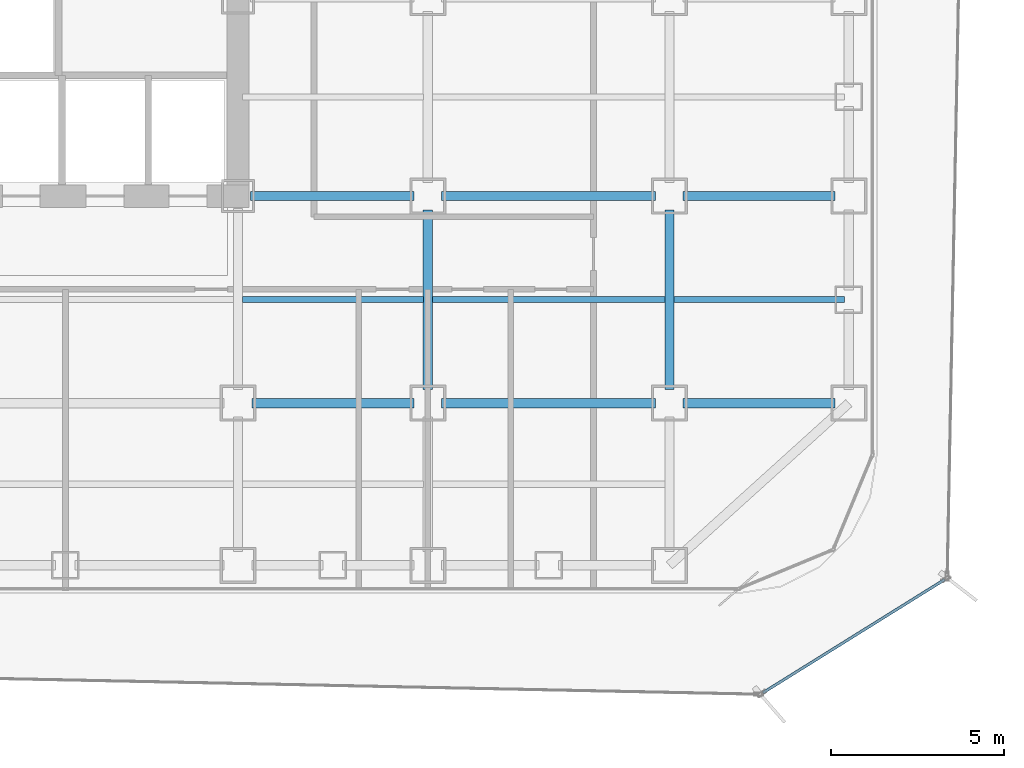
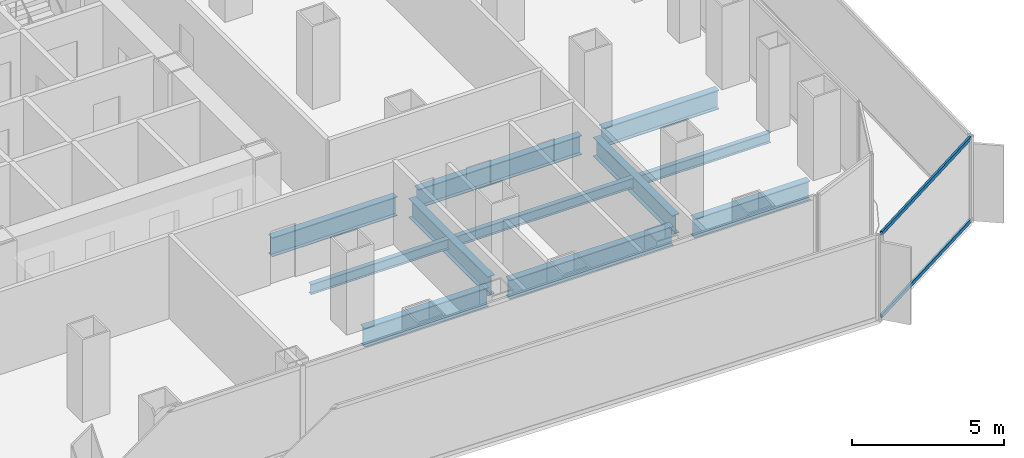
# One storey, part 7 of 21: 11 beams, 2 members, 1 element without a shape of its own.
"""IFC4 building model written with IfcOpenShell, lengths in metres."""

from ifc_helpers import new_model, si_unit, direction, frame, origin, origin_2d, place, context, subcontext, project, spatial, hollow_rectangle, i_section, extrude, source, transform, mapped, material, layer, layer_set, material_profile, profile_set, type_object, element, aggregate, save


model = new_model("IFC4")

# Units and contexts
model_context = context("Model", 3, precision=1e-05, world=origin(), true_north=direction((0.0, 1.0)))
body_context = subcontext(model_context, "Body", "Model", "MODEL_VIEW")
ifc_project = project(units=[si_unit("LENGTHUNIT", "METRE"), si_unit("AREAUNIT", "SQUARE_METRE"), si_unit("VOLUMEUNIT", "CUBIC_METRE"), si_unit("PLANEANGLEUNIT", "RADIAN"), si_unit("MASSUNIT", "GRAM", prefix="KILO")], contexts=[model_context])

# Site, building, storey
site_placement = place(None, origin())
site = spatial("IfcSite", under=ifc_project, at=site_placement, CompositionType="ELEMENT")
building_placement = place(site_placement, origin())
building = spatial("IfcBuilding", under=site, at=building_placement, Name="Kolveth Station Tower", CompositionType="ELEMENT")
storey_placement = place(building_placement, frame((0.0, 0.0, 26.10009765625)))
storey = spatial("IfcBuildingStorey", under=building, at=storey_placement, Name="L06", CompositionType="ELEMENT", Elevation=26.10009765625)

# Beams
ifc_material_1 = material(Name="Steel S355", Category="steel")
ifc_material_profile_1 = material_profile(ifc_material_1, i_section(OverallWidth=0.26708984375, OverallDepth=0.76611328125, WebThickness=0.014892578125, FlangeThickness=0.023681640625, at=origin_2d()), Name="W760x185")
ifc_profile_set_1 = profile_set([ifc_material_profile_1], Name="Steel S355")
beam_type_1 = type_object("IfcBeamType", Name="Beam_B3", PredefinedType="BEAM", material=ifc_profile_set_1)
shared_shape_1 = source(origin(), body_context, "Body", "SweptSolid", [
    extrude(i_section(OverallWidth=0.26708984375, OverallDepth=0.76611328125, WebThickness=0.014892578125, FlangeThickness=0.023681640625, at=origin_2d()), origin(), (0.0, 0.0, 1.0), 4.400146484375),
])
for number, where, z_axis, x_axis, name in (
    (1, (41.39990234375, 5.5, -0.6630859375), (1.0, 0.0, 0.0), (0.0, 1.0, 0.0), "L06 Primary Girder BM-L06-GY55-7"),
    (2, (41.39990234375, 11.5, -0.6630859375), (1.0, 0.0, 0.0), (0.0, 1.0, 0.0), "L06 Primary Girder BM-L06-GY115-7"),
):
    element("IfcBeam", number, at=place(storey_placement, frame(where, z_axis=z_axis, x_axis=x_axis)), inside=storey, type_object=beam_type_1, Name=name, PredefinedType="BEAM", context=body_context, shape_type="MappedRepresentation", body=[
        mapped(shared_shape_1, transform((0.0, 0.0, 0.0), x_axis=(1.0, 0.0, 0.0), y_axis=(0.0, 1.0, 0.0), z_axis=(0.0, 0.0, 1.0), scale=1.0)),
    ])
shared_shape_2 = source(origin(), body_context, "Body", "SweptSolid", [
    extrude(i_section(OverallWidth=0.26708984375, OverallDepth=0.76611328125, WebThickness=0.014892578125, FlangeThickness=0.023681640625, at=origin_2d()), origin(), (0.0, 0.0, 1.0), 6.2001953125),
])
for number, where, z_axis, x_axis, name in (
    (3, (34.39990234375, 5.5, -0.6630859375), (1.0, 0.0, 0.0), (0.0, 1.0, 0.0), "L06 Primary Girder BM-L06-GY55-6"),
    (4, (34.39990234375, 11.5, -0.6630859375), (1.0, 0.0, 0.0), (0.0, 1.0, 0.0), "L06 Primary Girder BM-L06-GY115-6"),
):
    element("IfcBeam", number, at=place(storey_placement, frame(where, z_axis=z_axis, x_axis=x_axis)), inside=storey, type_object=beam_type_1, Name=name, PredefinedType="BEAM", context=body_context, shape_type="MappedRepresentation", body=[
        mapped(shared_shape_2, transform((0.0, 0.0, 0.0), x_axis=(1.0, 0.0, 0.0), y_axis=(0.0, 1.0, 0.0), z_axis=(0.0, 0.0, 1.0), scale=1.0)),
    ])
shared_shape_3 = source(origin(), body_context, "Body", "SweptSolid", [
    extrude(i_section(OverallWidth=0.26708984375, OverallDepth=0.76611328125, WebThickness=0.014892578125, FlangeThickness=0.023681640625, at=origin_2d()), origin(), (0.0, 0.0, 1.0), 4.7001953125),
])
beam_1_placement = place(storey_placement, frame((28.89990234375, 5.5, -0.6630859375), z_axis=(1.0, 0.0, 0.0), x_axis=(0.0, 1.0, 0.0)))
element("IfcBeam", 5, at=beam_1_placement, inside=storey, type_object=beam_type_1, Name="L06 Primary Girder BM-L06-GY55-5", PredefinedType="BEAM", context=body_context, shape_type="MappedRepresentation", body=[
    mapped(shared_shape_3, transform((0.0, 0.0, 0.0), x_axis=(1.0, 0.0, 0.0), y_axis=(0.0, 1.0, 0.0), z_axis=(0.0, 0.0, 1.0), scale=1.0)),
])
shared_shape_4 = source(origin(), body_context, "Body", "SweptSolid", [
    extrude(i_section(OverallWidth=0.26708984375, OverallDepth=0.76611328125, WebThickness=0.014892578125, FlangeThickness=0.023681640625, at=origin_2d()), origin(), (0.0, 0.0, 1.0), 4.739990234375),
])
beam_2_placement = place(storey_placement, frame((28.860107421875, 11.5, -0.6630859375), z_axis=(1.0, 0.0, 0.0), x_axis=(0.0, 1.0, 0.0)))
element("IfcBeam", 6, at=beam_2_placement, inside=storey, type_object=beam_type_1, Name="L06 Primary Girder BM-L06-GY115-5", PredefinedType="BEAM", context=body_context, shape_type="MappedRepresentation", body=[
    mapped(shared_shape_4, transform((0.0, 0.0, 0.0), x_axis=(1.0, 0.0, 0.0), y_axis=(0.0, 1.0, 0.0), z_axis=(0.0, 0.0, 1.0), scale=1.0)),
])
shared_shape_5 = source(origin(), body_context, "Body", "SweptSolid", [
    extrude(i_section(OverallWidth=0.26708984375, OverallDepth=0.76611328125, WebThickness=0.014892578125, FlangeThickness=0.023681640625, at=origin_2d()), origin(), (0.0, 0.0, 1.0), 5.2001953125),
])
for number, where, z_axis, x_axis, name in (
    (7, (34.0, 5.89990234375, -0.6630859375), (0.0, 1.0, 0.0), (-1.0, 0.0, 0.0), "L06 Primary Girder BM-L06-GX340-2"),
    (8, (41.0, 5.89990234375, -0.6630859375), (0.0, 1.0, 0.0), (-1.0, 0.0, 0.0), "L06 Primary Girder BM-L06-GX410-2"),
):
    element("IfcBeam", number, at=place(storey_placement, frame(where, z_axis=z_axis, x_axis=x_axis)), inside=storey, type_object=beam_type_1, Name=name, PredefinedType="BEAM", context=body_context, shape_type="MappedRepresentation", body=[
        mapped(shared_shape_5, transform((0.0, 0.0, 0.0), x_axis=(1.0, 0.0, 0.0), y_axis=(0.0, 1.0, 0.0), z_axis=(0.0, 0.0, 1.0), scale=1.0)),
    ])
ifc_material_profile_2 = material_profile(ifc_material_1, i_section(OverallWidth=0.177978515625, OverallDepth=0.406982421875, WebThickness=0.0078125, FlangeThickness=0.0126953125, at=origin_2d()), Name="W410x60")
ifc_profile_set_2 = profile_set([ifc_material_profile_2], Name="Steel S355")
beam_type_2 = type_object("IfcBeamType", Name="Beam_J1", PredefinedType="JOIST", material=ifc_profile_set_2)
shared_shape_6 = source(origin(), body_context, "Body", "SweptSolid", [
    extrude(i_section(OverallWidth=0.177978515625, OverallDepth=0.406982421875, WebThickness=0.0078125, FlangeThickness=0.0126953125, at=origin_2d()), origin(), (0.0, 0.0, 1.0), 4.935791015625),
])
beam_3_placement = place(storey_placement, frame((41.131591796875, 8.5, -0.483642578125), z_axis=(1.0, 0.0, 0.0), x_axis=(0.0, 1.0, 0.0)))
element("IfcBeam", 9, at=beam_3_placement, inside=storey, type_object=beam_type_2, Name="L06 Secondary Joist JST-L06-7-2", PredefinedType="JOIST", context=body_context, shape_type="MappedRepresentation", body=[
    mapped(shared_shape_6, transform((0.0, 0.0, 0.0), x_axis=(1.0, 0.0, 0.0), y_axis=(0.0, 1.0, 0.0), z_axis=(0.0, 0.0, 1.0), scale=1.0)),
])
shared_shape_7 = source(origin(), body_context, "Body", "SweptSolid", [
    extrude(i_section(OverallWidth=0.177978515625, OverallDepth=0.406982421875, WebThickness=0.0078125, FlangeThickness=0.0126953125, at=origin_2d()), origin(), (0.0, 0.0, 1.0), 6.73681640625),
])
beam_4_placement = place(storey_placement, frame((34.131591796875, 8.5, -0.483642578125), z_axis=(1.0, 0.0, 0.0), x_axis=(0.0, 1.0, 0.0)))
element("IfcBeam", 10, at=beam_4_placement, inside=storey, type_object=beam_type_2, Name="L06 Secondary Joist JST-L06-6-2", PredefinedType="JOIST", context=body_context, shape_type="MappedRepresentation", body=[
    mapped(shared_shape_7, transform((0.0, 0.0, 0.0), x_axis=(1.0, 0.0, 0.0), y_axis=(0.0, 1.0, 0.0), z_axis=(0.0, 0.0, 1.0), scale=1.0)),
])
shared_shape_8 = source(origin(), body_context, "Body", "SweptSolid", [
    extrude(i_section(OverallWidth=0.177978515625, OverallDepth=0.406982421875, WebThickness=0.0078125, FlangeThickness=0.0126953125, at=origin_2d()), origin(), (0.0, 0.0, 1.0), 5.23681640625),
])
beam_5_placement = place(storey_placement, frame((28.631591796875, 8.5, -0.483642578125), z_axis=(1.0, 0.0, 0.0), x_axis=(0.0, 1.0, 0.0)))
element("IfcBeam", 11, at=beam_5_placement, inside=storey, type_object=beam_type_2, Name="L06 Secondary Joist JST-L06-5-2", PredefinedType="JOIST", context=body_context, shape_type="MappedRepresentation", body=[
    mapped(shared_shape_8, transform((0.0, 0.0, 0.0), x_axis=(1.0, 0.0, 0.0), y_axis=(0.0, 1.0, 0.0), z_axis=(0.0, 0.0, 1.0), scale=1.0)),
])

# Curtain wall, members
ifc_material_2 = material(Name="Black anodized aluminium 6063-T6 and dark solar glass", Category="aluminium")
ifc_layer = layer(ifc_material_2, 0.159912109375)
ifc_layer_set = layer_set([ifc_layer], Name="Black anodized aluminium 6063-T6 and dark solar glass")
curtain_wall_type = type_object("IfcCurtainWallType", Name="OUTER SKIN CW-OS", PredefinedType="NOTDEFINED", material=ifc_layer_set)
curtain_wall_placement = place(storey_placement, origin())
curtain_wall = element("IfcCurtainWall", 12, at=curtain_wall_placement, inside=storey, type_object=curtain_wall_type, Name="L06 Outer Ventilated Skin Curtain Wall 1", PredefinedType="NOTDEFINED")
ifc_material_3 = material(Name="Black anodized aluminium 6063-T6", Category="aluminium")
ifc_material_profile_3 = material_profile(ifc_material_3, hollow_rectangle(XDim=0.080078125, YDim=0.14990234375, WallThickness=0.0048828125, at=origin_2d()), Name="ALU-80x150x5")
ifc_profile_set_3 = profile_set([ifc_material_profile_3], Name="Black anodized aluminium 6063-T6")
member_type = type_object("IfcMemberType", Name="Transom_TR-OS", PredefinedType="USERDEFINED", material=ifc_profile_set_3)
shared_shape_9 = source(origin(), body_context, "Body", "SweptSolid", [
    extrude(hollow_rectangle(XDim=0.080078125, YDim=0.14990234375, WallThickness=0.0048828125, at=origin_2d()), origin(), (0.0, 0.0, 1.0), 6.19921875),
])
member_1_placement = place(storey_placement, frame((43.71337890625, -2.889892578125, 0.039794921875), z_axis=(0.848776192654, 0.528752281114, 0.0), x_axis=(-0.528752281114, 0.848776192654, 0.0)))
member_1 = element("IfcMember", 13, at=member_1_placement, type_object=member_type, Name="CW-OS transom 1.1", ObjectType="TRANSOM", PredefinedType="USERDEFINED", context=body_context, shape_type="MappedRepresentation", body=[
    mapped(shared_shape_9, transform((0.0, 0.0, 0.0), x_axis=(1.0, 0.0, 0.0), y_axis=(0.0, 1.0, 0.0), z_axis=(0.0, 0.0, 1.0), scale=1.0)),
])
member_2_placement = place(storey_placement, frame((43.71337890625, -2.889892578125, 3.349853515625), z_axis=(0.848776192654, 0.528752281114, 0.0), x_axis=(-0.528752281114, 0.848776192654, 0.0)))
member_2 = element("IfcMember", 14, at=member_2_placement, type_object=member_type, Name="CW-OS transom 1.2", ObjectType="TRANSOM", PredefinedType="USERDEFINED", context=body_context, shape_type="MappedRepresentation", body=[
    mapped(shared_shape_9, transform((0.0, 0.0, 0.0), x_axis=(1.0, 0.0, 0.0), y_axis=(0.0, 1.0, 0.0), z_axis=(0.0, 0.0, 1.0), scale=1.0)),
])
aggregate(curtain_wall, [member_1, member_2])

save(model, "model.ifc")
